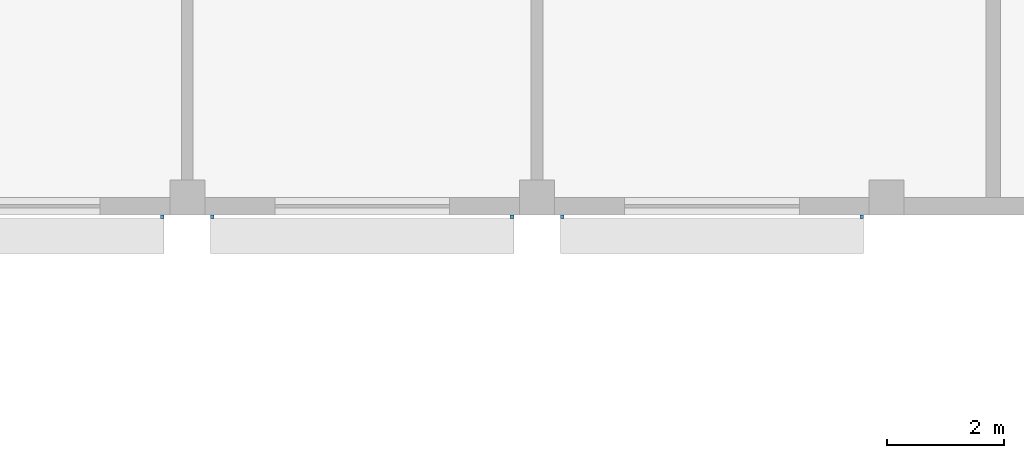
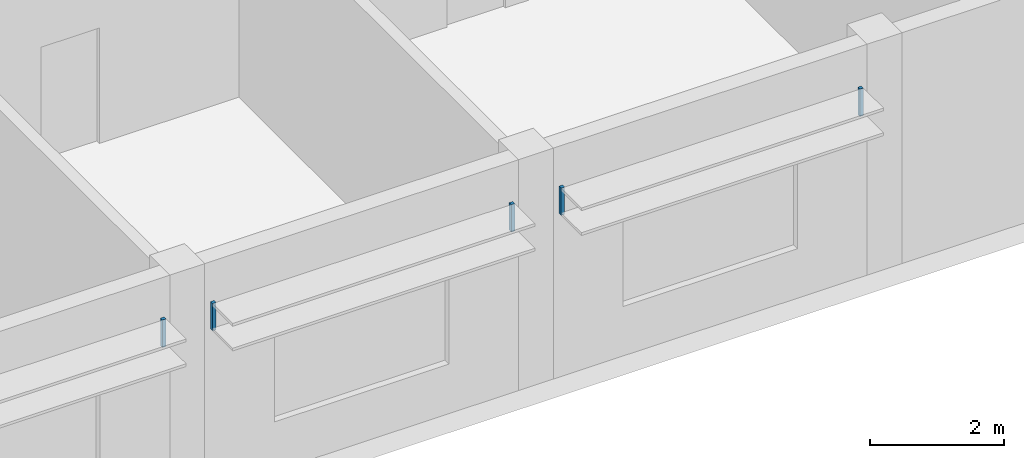
# One storey, part 30 of 45: 5 discrete accessories.
"""IFC4 building model written with IfcOpenShell, lengths in metres."""

from ifc_helpers import new_model, si_unit, direction, frame, origin, origin_2d, place, context, subcontext, project, spatial, rectangle, extrude, material, type_object, element, save


model = new_model("IFC4")

# Units and contexts
model_context = context("Model", 3, precision=1e-05, world=origin(), true_north=direction((0.0, 1.0)))
body_context = subcontext(model_context, "Body", "Model", "MODEL_VIEW")
ifc_project = project(units=[si_unit("LENGTHUNIT", "METRE"), si_unit("AREAUNIT", "SQUARE_METRE"), si_unit("VOLUMEUNIT", "CUBIC_METRE"), si_unit("PLANEANGLEUNIT", "RADIAN"), si_unit("MASSUNIT", "GRAM", prefix="KILO")], contexts=[model_context])

# Site, building, storey
site_placement = place(None, origin())
site = spatial("IfcSite", under=ifc_project, at=site_placement, CompositionType="ELEMENT")
building_placement = place(site_placement, origin())
building = spatial("IfcBuilding", under=site, at=building_placement, Name="Nakaniwa Court", CompositionType="ELEMENT")
storey_placement = place(building_placement, frame((0.0, 0.0, 11.39990234375)))
storey = spatial("IfcBuildingStorey", under=building, at=storey_placement, Name="L02", CompositionType="ELEMENT", Elevation=11.39990234375)

# Discrete accessories
ifc_material = material(Name="Black powder-coated steel bracket S275", Category="steel")
discrete_accessory_type = type_object("IfcDiscreteAccessoryType", Name="Hall black metal louvre bracket", PredefinedType="BRACKET", material=ifc_material)
for number, where, z_axis, x_axis, name in (
    (1, (211.570068359375, 55.969970703125, 2.97509765625), (0.0, 0.0, 1.0), (-1.0, 0.0, 0.0), "Louvre bracket L02 032.1"),
    (2, (206.429931640625, 55.969970703125, 2.97509765625), (0.0, 0.0, 1.0), (-1.0, 0.0, 0.0), "Louvre bracket L02 032.2"),
    (3, (205.570068359375, 55.969970703125, 2.97509765625), (0.0, 0.0, 1.0), (-1.0, 0.0, 0.0), "Louvre bracket L02 033.1"),
    (4, (200.429931640625, 55.969970703125, 2.97509765625), (0.0, 0.0, 1.0), (-1.0, 0.0, 0.0), "Louvre bracket L02 033.2"),
    (5, (199.570068359375, 55.969970703125, 2.97509765625), (0.0, 0.0, 1.0), (-1.0, 0.0, 0.0), "Louvre bracket L02 034.1"),
):
    element("IfcDiscreteAccessory", number, at=place(storey_placement, frame(where, z_axis=z_axis, x_axis=x_axis)), inside=storey, type_object=discrete_accessory_type, Name=name, PredefinedType="BRACKET", context=body_context, shape_type="SweptSolid", body=[
        extrude(rectangle(XDim=0.06005859375, YDim=0.06005859375, at=origin_2d()), origin(), (0.0, 0.0, 1.0), 0.5),
    ])

save(model, "model.ifc")
